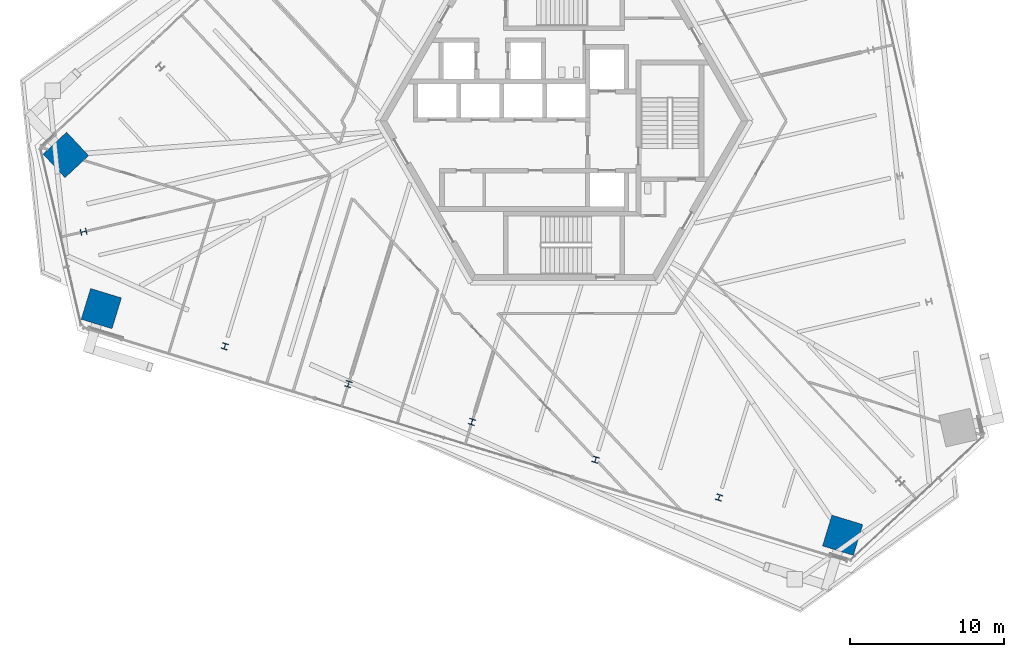
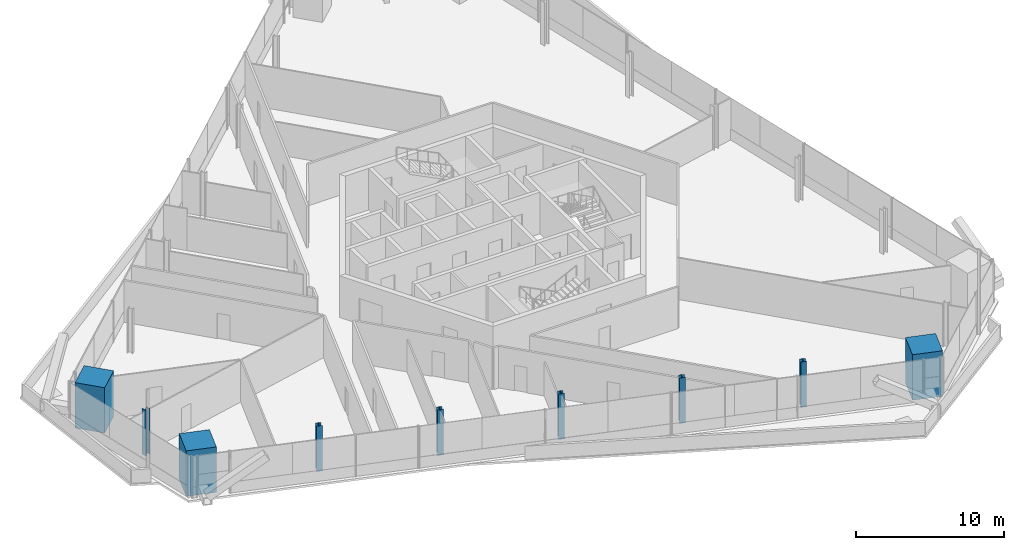
# One storey, part 1 of 25: 9 columns.
"""IFC4 building model written with IfcOpenShell, lengths in metres."""

from ifc_helpers import new_model, si_unit, direction, frame, origin, origin_2d, place, context, subcontext, project, spatial, rectangle, i_section, extrude, source, transform, mapped, material, material_profile, profile_set, type_object, element, save


model = new_model("IFC4")

# Units and contexts
model_context = context("Model", 3, precision=1e-05, world=origin(), true_north=direction((0.0, 1.0)))
body_context = subcontext(model_context, "Body", "Model", "MODEL_VIEW")
ifc_project = project(units=[si_unit("LENGTHUNIT", "METRE"), si_unit("AREAUNIT", "SQUARE_METRE"), si_unit("VOLUMEUNIT", "CUBIC_METRE"), si_unit("PLANEANGLEUNIT", "RADIAN"), si_unit("MASSUNIT", "GRAM", prefix="KILO")], contexts=[model_context])

# Site, building, storey
site_placement = place(None, origin())
site = spatial("IfcSite", under=ifc_project, at=site_placement, CompositionType="ELEMENT")
building_placement = place(site_placement, origin())
building = spatial("IfcBuilding", under=site, at=building_placement, Name="Triune Harvest Tower", CompositionType="ELEMENT")
storey_placement = place(building_placement, frame((0.0, 0.0, 98.300048828125)))
storey = spatial("IfcBuildingStorey", under=building, at=storey_placement, Name="L24", CompositionType="ELEMENT", Elevation=98.300048828125)

# Columns
ifc_material_1 = material(Name="Concrete 70 MPa", Category="concrete")
ifc_material_profile_1 = material_profile(ifc_material_1, rectangle(XDim=2.10009765625, YDim=2.10009765625, at=origin_2d()), Name="Composite 2100x2100")
ifc_profile_set_1 = profile_set([ifc_material_profile_1], Name="Concrete 70 MPa")
column_type_1 = type_object("IfcColumnType", Name="MC-3 Mega column Composite 2100x2100", PredefinedType="COLUMN", material=ifc_profile_set_1)
shared_shape_1 = source(origin(), body_context, "Body", "SweptSolid", [
    extrude(rectangle(XDim=2.10009765625, YDim=2.10009765625, at=origin_2d()), origin(), (0.0, 0.0, 1.0), 3.760009765625),
])
for number, where, z_axis, x_axis, name in (
    (1, (-32.446533203125, -2.218994140625, -0.16015625), (0.0, 0.0, 1.0), (-0.73135489193, -0.681997083608, 0.0), "col/L24/M14"),
    (2, (-30.135498046875, -12.22900390625, -0.16015625), (0.0, 0.0, 1.0), (0.956304755963, -0.292371704723, 0.0), "col/L24/M16"),
    (3, (18.14501953125, -26.989990234375, -0.16015625), (0.0, 0.0, 1.0), (0.956304755963, -0.292371704723, 0.0), "col/L24/M22"),
):
    element("IfcColumn", number, at=place(storey_placement, frame(where, z_axis=z_axis, x_axis=x_axis)), inside=storey, type_object=column_type_1, Name=name, PredefinedType="COLUMN", context=body_context, shape_type="MappedRepresentation", body=[
        mapped(shared_shape_1, transform((0.0, 0.0, 0.0), scale=1.0)),
    ])
ifc_material_2 = material(Name="Steel ASTM A992 Gr 50", Category="steel")
ifc_material_profile_2 = material_profile(ifc_material_2, i_section(OverallWidth=0.396240234375, OverallDepth=0.381103515625, WebThickness=0.01904296875, FlangeThickness=0.0302734375, at=origin_2d()), Name="W14x159")
ifc_profile_set_2 = profile_set([ifc_material_profile_2], Name="Steel ASTM A992 Gr 50")
column_type_2 = type_object("IfcColumnType", Name="PC-3 Perimeter column W14x159", PredefinedType="COLUMN", material=ifc_profile_set_2)
shared_shape_2 = source(origin(), body_context, "Body", "SweptSolid", [
    extrude(i_section(OverallWidth=0.396240234375, OverallDepth=0.381103515625, WebThickness=0.01904296875, FlangeThickness=0.0302734375, at=origin_2d()), origin(), (0.0, 0.0, 1.0), 3.760009765625),
])
for number, where, z_axis, x_axis, name in (
    (4, (-31.291015625, -7.22412109375, -0.16015625), (0.0, 0.0, 1.0), (0.224951054344, -0.974370064785, 0.0), "col/L24/P15"),
    (5, (-22.0888671875, -14.689208984375, -0.16015625), (0.0, 0.0, 1.0), (0.956304755963, -0.292371704723, 0.0), "col/L24/P17"),
    (6, (-14.0419921875, -17.1494140625, -0.16015625), (0.0, 0.0, 1.0), (0.956304755963, -0.292371704723, 0.0), "col/L24/P18"),
    (7, (-5.995361328125, -19.609619140625, -0.16015625), (0.0, 0.0, 1.0), (0.956304755963, -0.292371704723, 0.0), "col/L24/P19"),
    (8, (2.051513671875, -22.069580078125, -0.16015625), (0.0, 0.0, 1.0), (0.956304755963, -0.292371704723, 0.0), "col/L24/P20"),
    (9, (10.098388671875, -24.52978515625, -0.16015625), (0.0, 0.0, 1.0), (0.956304755963, -0.292371704723, 0.0), "col/L24/P21"),
):
    element("IfcColumn", number, at=place(storey_placement, frame(where, z_axis=z_axis, x_axis=x_axis)), inside=storey, type_object=column_type_2, Name=name, PredefinedType="COLUMN", context=body_context, shape_type="MappedRepresentation", body=[
        mapped(shared_shape_2, transform((0.0, 0.0, 0.0), scale=1.0)),
    ])

save(model, "model.ifc")
